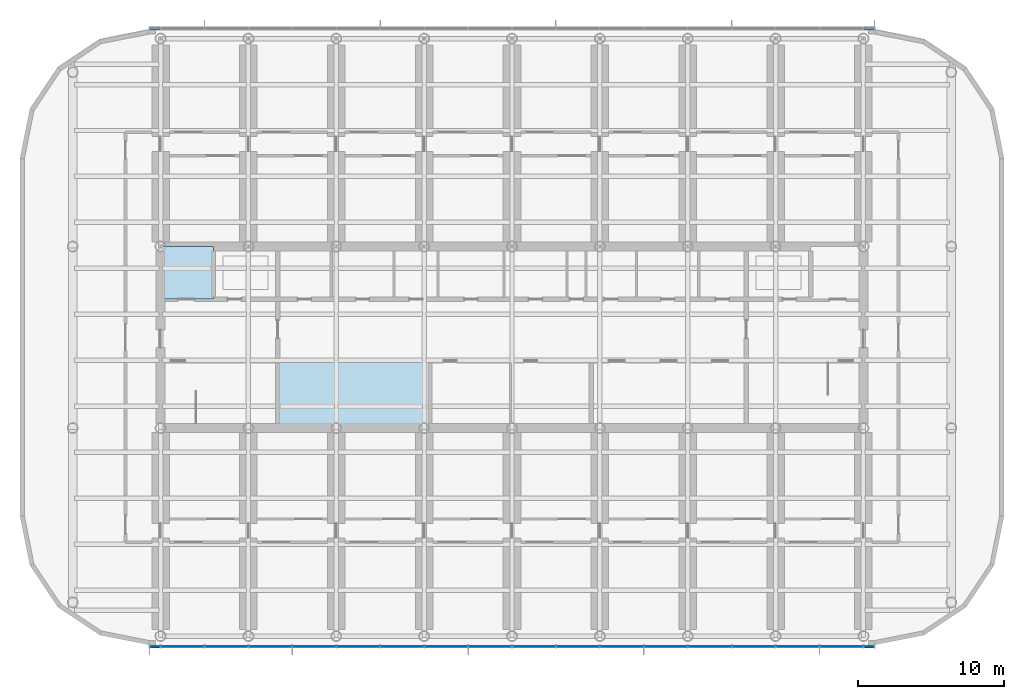
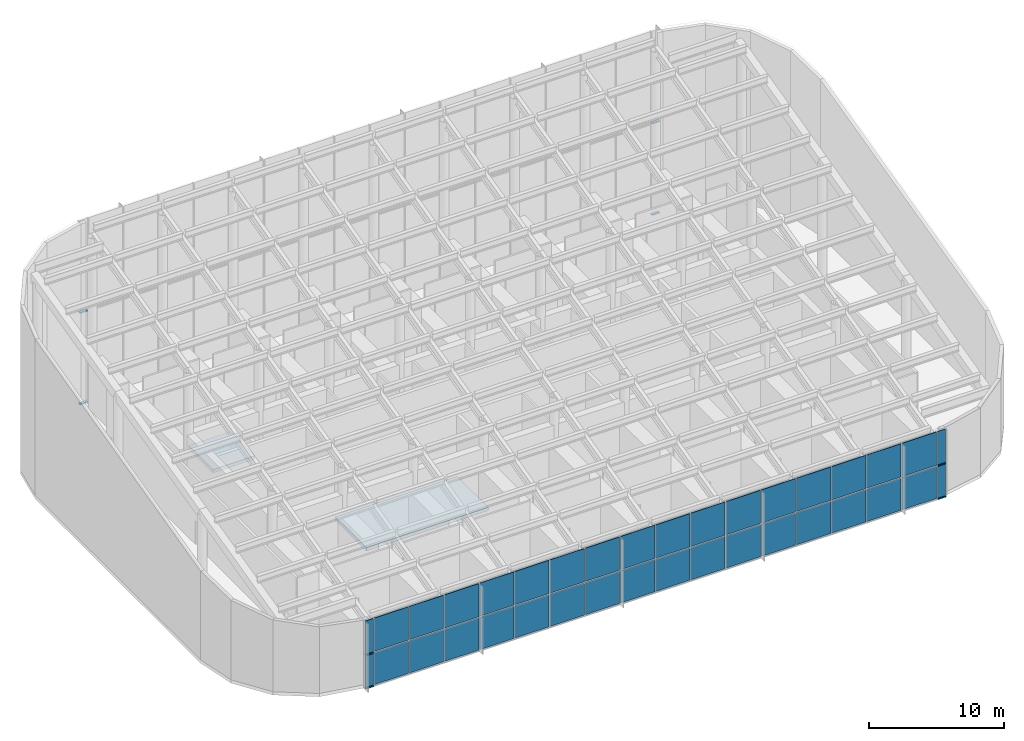
# One storey, part 6 of 14: 36 plates, 8 members, 2 slabs, 2 elements without a shape of their own.
"""IFC4 building model written with IfcOpenShell, lengths in metres."""

from ifc_helpers import new_model, si_unit, direction, frame, origin, origin_2d, place, context, subcontext, project, spatial, polyline, rectangle, outline, extrude, material, layer, layer_set, material_profile, profile_set, type_object, element, aggregate, save


model = new_model("IFC4")

# Units and contexts
model_context = context("Model", 3, precision=1e-05, world=origin(), true_north=direction((0.0, 1.0)))
body_context = subcontext(model_context, "Body", "Model", "MODEL_VIEW")
ifc_project = project(units=[si_unit("LENGTHUNIT", "METRE"), si_unit("AREAUNIT", "SQUARE_METRE"), si_unit("VOLUMEUNIT", "CUBIC_METRE"), si_unit("PLANEANGLEUNIT", "RADIAN"), si_unit("MASSUNIT", "GRAM", prefix="KILO")], contexts=[model_context])

# Site, building, storey
site_placement = place(None, origin())
site = spatial("IfcSite", under=ifc_project, at=site_placement, CompositionType="ELEMENT")
building_placement = place(site_placement, origin())
building = spatial("IfcBuilding", under=site, at=building_placement, Name="Orbita Commons", CompositionType="ELEMENT")
storey_placement = place(building_placement, frame((0.0, 0.0, 262.300048828125)))
storey = spatial("IfcBuildingStorey", under=building, at=storey_placement, Name="L65", CompositionType="ELEMENT", Elevation=262.300048828125)

# Curtain wall, members
ifc_material_1 = material(Name="Anodised aluminium frame, pale silver", Category="aluminium")
curtain_wall_type = type_object("IfcCurtainWallType", Name="Crown curtain wall CW-C", PredefinedType="NOTDEFINED", material=ifc_material_1)
curtain_wall_1_placement = place(storey_placement, origin())
curtain_wall_1 = element("IfcCurtainWall", 1, at=curtain_wall_1_placement, inside=storey, type_object=curtain_wall_type, Name="Curtain wall south L65", PredefinedType="NOTDEFINED")
ifc_material_2 = material(Name="Anodised aluminium, pale silver", Category="aluminium")
ifc_material_profile = material_profile(ifc_material_2, rectangle(XDim=0.219970703125, YDim=0.10009765625, at=origin_2d()), Name="AL 220x100")
ifc_profile_set = profile_set([ifc_material_profile], Name="Anodised aluminium, pale silver")
member_type = type_object("IfcMemberType", Name="Curtain wall stack transom 220x100", PredefinedType="USERDEFINED", material=ifc_profile_set)
member_1_placement = place(storey_placement, frame((17.280029296875, 10.889892578125, -0.25), z_axis=(1.0, 0.0, 0.0), x_axis=(0.0, 1.0, 0.0)))
member_1 = element("IfcMember", 2, at=member_1_placement, type_object=member_type, Name="Transom 1.1 CW-L65-S", ObjectType="TRANSOM", PredefinedType="USERDEFINED", context=body_context, shape_type="SweptSolid", body=[
    extrude(rectangle(XDim=0.219970703125, YDim=0.10009765625, at=origin_2d()), origin(), (0.0, 0.0, 1.0), 0.679931640625),
])
member_2_placement = place(storey_placement, frame((17.280029296875, 10.889892578125, 2.75), z_axis=(1.0, 0.0, 0.0), x_axis=(0.0, 1.0, 0.0)))
member_2 = element("IfcMember", 3, at=member_2_placement, type_object=member_type, Name="Transom 1.2 CW-L65-S", ObjectType="TRANSOM", PredefinedType="USERDEFINED", context=body_context, shape_type="SweptSolid", body=[
    extrude(rectangle(XDim=0.219970703125, YDim=0.10009765625, at=origin_2d()), origin(), (0.0, 0.0, 1.0), 0.679931640625),
])
member_3_placement = place(storey_placement, frame((66.0400390625, 10.889892578125, -0.25), z_axis=(1.0, 0.0, 0.0), x_axis=(0.0, 1.0, 0.0)))
member_3 = element("IfcMember", 4, at=member_3_placement, type_object=member_type, Name="Transom 18.1 CW-L65-S", ObjectType="TRANSOM", PredefinedType="USERDEFINED", context=body_context, shape_type="SweptSolid", body=[
    extrude(rectangle(XDim=0.219970703125, YDim=0.10009765625, at=origin_2d()), origin(), (0.0, 0.0, 1.0), 0.679931640625),
])
member_4_placement = place(storey_placement, frame((66.0400390625, 10.889892578125, 2.75), z_axis=(1.0, 0.0, 0.0), x_axis=(0.0, 1.0, 0.0)))
member_4 = element("IfcMember", 5, at=member_4_placement, type_object=member_type, Name="Transom 18.2 CW-L65-S", ObjectType="TRANSOM", PredefinedType="USERDEFINED", context=body_context, shape_type="SweptSolid", body=[
    extrude(rectangle(XDim=0.219970703125, YDim=0.10009765625, at=origin_2d()), origin(), (0.0, 0.0, 1.0), 0.679931640625),
])

curtain_wall_2_placement = place(storey_placement, origin())
curtain_wall_2 = element("IfcCurtainWall", 6, at=curtain_wall_2_placement, inside=storey, type_object=curtain_wall_type, Name="Curtain wall north L65", PredefinedType="NOTDEFINED")
member_5_placement = place(storey_placement, frame((66.719970703125, 53.110107421875, -0.25), z_axis=(-1.0, 0.0, 0.0), x_axis=(0.0, -1.0, 0.0)))
member_5 = element("IfcMember", 7, at=member_5_placement, type_object=member_type, Name="Transom 1.1 CW-L65-N", ObjectType="TRANSOM", PredefinedType="USERDEFINED", context=body_context, shape_type="SweptSolid", body=[
    extrude(rectangle(XDim=0.219970703125, YDim=0.10009765625, at=origin_2d()), origin(), (0.0, 0.0, 1.0), 0.679931640625),
])
member_6_placement = place(storey_placement, frame((66.719970703125, 53.110107421875, 7.98583984375), z_axis=(-1.0, 0.0, 0.0), x_axis=(0.0, -1.0, 0.0)))
member_6 = element("IfcMember", 8, at=member_6_placement, type_object=member_type, Name="Transom 1.2 CW-L65-N", ObjectType="TRANSOM", PredefinedType="USERDEFINED", context=body_context, shape_type="SweptSolid", body=[
    extrude(rectangle(XDim=0.219970703125, YDim=0.10009765625, at=origin_2d()), origin(), (0.0, 0.0, 1.0), 0.679931640625),
])
member_7_placement = place(storey_placement, frame((17.9599609375, 53.110107421875, -0.25), z_axis=(-1.0, 0.0, 0.0), x_axis=(0.0, -1.0, 0.0)))
member_7 = element("IfcMember", 9, at=member_7_placement, type_object=member_type, Name="Transom 18.1 CW-L65-N", ObjectType="TRANSOM", PredefinedType="USERDEFINED", context=body_context, shape_type="SweptSolid", body=[
    extrude(rectangle(XDim=0.219970703125, YDim=0.10009765625, at=origin_2d()), origin(), (0.0, 0.0, 1.0), 0.679931640625),
])
member_8_placement = place(storey_placement, frame((17.9599609375, 53.110107421875, 7.98583984375), z_axis=(-1.0, 0.0, 0.0), x_axis=(0.0, -1.0, 0.0)))
member_8 = element("IfcMember", 10, at=member_8_placement, type_object=member_type, Name="Transom 18.2 CW-L65-N", ObjectType="TRANSOM", PredefinedType="USERDEFINED", context=body_context, shape_type="SweptSolid", body=[
    extrude(rectangle(XDim=0.219970703125, YDim=0.10009765625, at=origin_2d()), origin(), (0.0, 0.0, 1.0), 0.679931640625),
])
aggregate(curtain_wall_2, [member_5, member_6, member_7, member_8])

# Slabs
ifc_material_3 = material(Name="Concrete C40/50", Category="concrete")
ifc_layer_1 = layer(ifc_material_3, 0.300048828125)
ifc_layer_set_1 = layer_set([ifc_layer_1], Name="Concrete C40/50")
slab_type = type_object("IfcSlabType", Name="Lift overrun roof 300", PredefinedType="ROOF", material=ifc_layer_set_1)
slab_1_placement = place(storey_placement, origin())
element("IfcSlab", 11, at=slab_1_placement, inside=storey, type_object=slab_type, Name="Lift overrun roof local", PredefinedType="ROOF", context=body_context, shape_type="SweptSolid", body=[
    extrude(outline(polyline([(26.0, 25.800048828125), (36.39990234375, 25.800048828125), (36.39990234375, 30.39990234375), (26.0, 30.39990234375), (26.0, 25.800048828125)])), origin(), (0.0, 0.0, 1.0), 0.300048828125),
])
slab_2_placement = place(storey_placement, frame((0.0, 0.0, 4.5)))
element("IfcSlab", 12, at=slab_2_placement, inside=storey, type_object=slab_type, Name="Lift overrun roof FL1", PredefinedType="ROOF", context=body_context, shape_type="SweptSolid", body=[
    extrude(outline(polyline([(18.0, 34.60009765625), (21.60009765625, 34.60009765625), (21.60009765625, 38.199951171875), (18.0, 38.199951171875), (18.0, 34.60009765625)])), origin(), (0.0, 0.0, 1.0), 0.300048828125),
])

# Plate
ifc_material_4 = material(Name="Anodised aluminium sheet", Category="aluminium")
ifc_layer_2 = layer(ifc_material_4, 0.050048828125)
ifc_layer_set_2 = layer_set([ifc_layer_2], Name="Anodised aluminium sheet")
plate_type = type_object("IfcPlateType", Name="Spandrel panel, pale aluminium 50", PredefinedType="CURTAIN_PANEL", material=ifc_layer_set_2)
plate_1_placement = place(storey_placement, frame((17.6201171875, 10.889892578125, -0.199951171875), z_axis=(0.0, 0.0, 1.0), x_axis=(1.0, 0.0, 0.0)))
plate_1 = element("IfcPlate", 13, at=plate_1_placement, type_object=plate_type, Name="Panel 1.1 CW-L65-S", PredefinedType="CURTAIN_PANEL", context=body_context, shape_type="SweptSolid", body=[
    extrude(rectangle(XDim=0.679931640625, YDim=0.050048828125, at=origin_2d()), origin(), (0.0, 0.0, 1.0), 2.89990234375),
])

plate_2_placement = place(storey_placement, frame((17.6201171875, 10.889892578125, 2.800048828125), z_axis=(0.0, 0.0, 1.0), x_axis=(1.0, 0.0, 0.0)))
plate_2 = element("IfcPlate", 14, at=plate_2_placement, type_object=plate_type, Name="Panel 1.2 CW-L65-S", PredefinedType="CURTAIN_PANEL", context=body_context, shape_type="SweptSolid", body=[
    extrude(rectangle(XDim=0.679931640625, YDim=0.050048828125, at=origin_2d()), origin(), (0.0, 0.0, 1.0), 3.0),
])

plate_3_placement = place(storey_placement, frame((19.5, 10.889892578125, -0.199951171875), z_axis=(0.0, 0.0, 1.0), x_axis=(1.0, 0.0, 0.0)))
plate_3 = element("IfcPlate", 15, at=plate_3_placement, type_object=plate_type, Name="Panel 2.1 CW-L65-S", PredefinedType="CURTAIN_PANEL", context=body_context, shape_type="SweptSolid", body=[
    extrude(rectangle(XDim=2.919921875, YDim=0.050048828125, at=origin_2d()), origin(), (0.0, 0.0, 1.0), 2.89990234375),
])

plate_4_placement = place(storey_placement, frame((19.5, 10.889892578125, 2.800048828125), z_axis=(0.0, 0.0, 1.0), x_axis=(1.0, 0.0, 0.0)))
plate_4 = element("IfcPlate", 16, at=plate_4_placement, type_object=plate_type, Name="Panel 2.2 CW-L65-S", PredefinedType="CURTAIN_PANEL", context=body_context, shape_type="SweptSolid", body=[
    extrude(rectangle(XDim=2.919921875, YDim=0.050048828125, at=origin_2d()), origin(), (0.0, 0.0, 1.0), 3.0),
])

plate_5_placement = place(storey_placement, frame((22.5, 10.889892578125, -0.199951171875), z_axis=(0.0, 0.0, 1.0), x_axis=(1.0, 0.0, 0.0)))
plate_5 = element("IfcPlate", 17, at=plate_5_placement, type_object=plate_type, Name="Panel 3.1 CW-L65-S", PredefinedType="CURTAIN_PANEL", context=body_context, shape_type="SweptSolid", body=[
    extrude(rectangle(XDim=2.919921875, YDim=0.050048828125, at=origin_2d()), origin(), (0.0, 0.0, 1.0), 2.89990234375),
])

plate_6_placement = place(storey_placement, frame((22.5, 10.889892578125, 2.800048828125), z_axis=(0.0, 0.0, 1.0), x_axis=(1.0, 0.0, 0.0)))
plate_6 = element("IfcPlate", 18, at=plate_6_placement, type_object=plate_type, Name="Panel 3.2 CW-L65-S", PredefinedType="CURTAIN_PANEL", context=body_context, shape_type="SweptSolid", body=[
    extrude(rectangle(XDim=2.919921875, YDim=0.050048828125, at=origin_2d()), origin(), (0.0, 0.0, 1.0), 3.0),
])

plate_7_placement = place(storey_placement, frame((25.5, 10.889892578125, -0.199951171875), z_axis=(0.0, 0.0, 1.0), x_axis=(1.0, 0.0, 0.0)))
plate_7 = element("IfcPlate", 19, at=plate_7_placement, type_object=plate_type, Name="Panel 4.1 CW-L65-S", PredefinedType="CURTAIN_PANEL", context=body_context, shape_type="SweptSolid", body=[
    extrude(rectangle(XDim=2.919921875, YDim=0.050048828125, at=origin_2d()), origin(), (0.0, 0.0, 1.0), 2.89990234375),
])

plate_8_placement = place(storey_placement, frame((25.5, 10.889892578125, 2.800048828125), z_axis=(0.0, 0.0, 1.0), x_axis=(1.0, 0.0, 0.0)))
plate_8 = element("IfcPlate", 20, at=plate_8_placement, type_object=plate_type, Name="Panel 4.2 CW-L65-S", PredefinedType="CURTAIN_PANEL", context=body_context, shape_type="SweptSolid", body=[
    extrude(rectangle(XDim=2.919921875, YDim=0.050048828125, at=origin_2d()), origin(), (0.0, 0.0, 1.0), 3.0),
])

plate_9_placement = place(storey_placement, frame((28.5, 10.889892578125, -0.199951171875), z_axis=(0.0, 0.0, 1.0), x_axis=(1.0, 0.0, 0.0)))
plate_9 = element("IfcPlate", 21, at=plate_9_placement, type_object=plate_type, Name="Panel 5.1 CW-L65-S", PredefinedType="CURTAIN_PANEL", context=body_context, shape_type="SweptSolid", body=[
    extrude(rectangle(XDim=2.919921875, YDim=0.050048828125, at=origin_2d()), origin(), (0.0, 0.0, 1.0), 2.89990234375),
])

plate_10_placement = place(storey_placement, frame((28.5, 10.889892578125, 2.800048828125), z_axis=(0.0, 0.0, 1.0), x_axis=(1.0, 0.0, 0.0)))
plate_10 = element("IfcPlate", 22, at=plate_10_placement, type_object=plate_type, Name="Panel 5.2 CW-L65-S", PredefinedType="CURTAIN_PANEL", context=body_context, shape_type="SweptSolid", body=[
    extrude(rectangle(XDim=2.919921875, YDim=0.050048828125, at=origin_2d()), origin(), (0.0, 0.0, 1.0), 3.0),
])

plate_11_placement = place(storey_placement, frame((31.5, 10.889892578125, -0.199951171875), z_axis=(0.0, 0.0, 1.0), x_axis=(1.0, 0.0, 0.0)))
plate_11 = element("IfcPlate", 23, at=plate_11_placement, type_object=plate_type, Name="Panel 6.1 CW-L65-S", PredefinedType="CURTAIN_PANEL", context=body_context, shape_type="SweptSolid", body=[
    extrude(rectangle(XDim=2.919921875, YDim=0.050048828125, at=origin_2d()), origin(), (0.0, 0.0, 1.0), 2.89990234375),
])

plate_12_placement = place(storey_placement, frame((31.5, 10.889892578125, 2.800048828125), z_axis=(0.0, 0.0, 1.0), x_axis=(1.0, 0.0, 0.0)))
plate_12 = element("IfcPlate", 24, at=plate_12_placement, type_object=plate_type, Name="Panel 6.2 CW-L65-S", PredefinedType="CURTAIN_PANEL", context=body_context, shape_type="SweptSolid", body=[
    extrude(rectangle(XDim=2.919921875, YDim=0.050048828125, at=origin_2d()), origin(), (0.0, 0.0, 1.0), 3.0),
])

plate_13_placement = place(storey_placement, frame((34.5, 10.889892578125, -0.199951171875), z_axis=(0.0, 0.0, 1.0), x_axis=(1.0, 0.0, 0.0)))
plate_13 = element("IfcPlate", 25, at=plate_13_placement, type_object=plate_type, Name="Panel 7.1 CW-L65-S", PredefinedType="CURTAIN_PANEL", context=body_context, shape_type="SweptSolid", body=[
    extrude(rectangle(XDim=2.919921875, YDim=0.050048828125, at=origin_2d()), origin(), (0.0, 0.0, 1.0), 2.89990234375),
])

plate_14_placement = place(storey_placement, frame((34.5, 10.889892578125, 2.800048828125), z_axis=(0.0, 0.0, 1.0), x_axis=(1.0, 0.0, 0.0)))
plate_14 = element("IfcPlate", 26, at=plate_14_placement, type_object=plate_type, Name="Panel 7.2 CW-L65-S", PredefinedType="CURTAIN_PANEL", context=body_context, shape_type="SweptSolid", body=[
    extrude(rectangle(XDim=2.919921875, YDim=0.050048828125, at=origin_2d()), origin(), (0.0, 0.0, 1.0), 3.0),
])

plate_15_placement = place(storey_placement, frame((37.5, 10.889892578125, -0.199951171875), z_axis=(0.0, 0.0, 1.0), x_axis=(1.0, 0.0, 0.0)))
plate_15 = element("IfcPlate", 27, at=plate_15_placement, type_object=plate_type, Name="Panel 8.1 CW-L65-S", PredefinedType="CURTAIN_PANEL", context=body_context, shape_type="SweptSolid", body=[
    extrude(rectangle(XDim=2.919921875, YDim=0.050048828125, at=origin_2d()), origin(), (0.0, 0.0, 1.0), 2.89990234375),
])

plate_16_placement = place(storey_placement, frame((37.5, 10.889892578125, 2.800048828125), z_axis=(0.0, 0.0, 1.0), x_axis=(1.0, 0.0, 0.0)))
plate_16 = element("IfcPlate", 28, at=plate_16_placement, type_object=plate_type, Name="Panel 8.2 CW-L65-S", PredefinedType="CURTAIN_PANEL", context=body_context, shape_type="SweptSolid", body=[
    extrude(rectangle(XDim=2.919921875, YDim=0.050048828125, at=origin_2d()), origin(), (0.0, 0.0, 1.0), 3.0),
])

plate_17_placement = place(storey_placement, frame((40.5, 10.889892578125, -0.199951171875), z_axis=(0.0, 0.0, 1.0), x_axis=(1.0, 0.0, 0.0)))
plate_17 = element("IfcPlate", 29, at=plate_17_placement, type_object=plate_type, Name="Panel 9.1 CW-L65-S", PredefinedType="CURTAIN_PANEL", context=body_context, shape_type="SweptSolid", body=[
    extrude(rectangle(XDim=2.919921875, YDim=0.050048828125, at=origin_2d()), origin(), (0.0, 0.0, 1.0), 2.89990234375),
])

plate_18_placement = place(storey_placement, frame((40.5, 10.889892578125, 2.800048828125), z_axis=(0.0, 0.0, 1.0), x_axis=(1.0, 0.0, 0.0)))
plate_18 = element("IfcPlate", 30, at=plate_18_placement, type_object=plate_type, Name="Panel 9.2 CW-L65-S", PredefinedType="CURTAIN_PANEL", context=body_context, shape_type="SweptSolid", body=[
    extrude(rectangle(XDim=2.919921875, YDim=0.050048828125, at=origin_2d()), origin(), (0.0, 0.0, 1.0), 3.0),
])

plate_19_placement = place(storey_placement, frame((43.5, 10.889892578125, -0.199951171875), z_axis=(0.0, 0.0, 1.0), x_axis=(1.0, 0.0, 0.0)))
plate_19 = element("IfcPlate", 31, at=plate_19_placement, type_object=plate_type, Name="Panel 10.1 CW-L65-S", PredefinedType="CURTAIN_PANEL", context=body_context, shape_type="SweptSolid", body=[
    extrude(rectangle(XDim=2.919921875, YDim=0.050048828125, at=origin_2d()), origin(), (0.0, 0.0, 1.0), 2.89990234375),
])

plate_20_placement = place(storey_placement, frame((43.5, 10.889892578125, 2.800048828125), z_axis=(0.0, 0.0, 1.0), x_axis=(1.0, 0.0, 0.0)))
plate_20 = element("IfcPlate", 32, at=plate_20_placement, type_object=plate_type, Name="Panel 10.2 CW-L65-S", PredefinedType="CURTAIN_PANEL", context=body_context, shape_type="SweptSolid", body=[
    extrude(rectangle(XDim=2.919921875, YDim=0.050048828125, at=origin_2d()), origin(), (0.0, 0.0, 1.0), 3.0),
])

plate_21_placement = place(storey_placement, frame((46.5, 10.889892578125, -0.199951171875), z_axis=(0.0, 0.0, 1.0), x_axis=(1.0, 0.0, 0.0)))
plate_21 = element("IfcPlate", 33, at=plate_21_placement, type_object=plate_type, Name="Panel 11.1 CW-L65-S", PredefinedType="CURTAIN_PANEL", context=body_context, shape_type="SweptSolid", body=[
    extrude(rectangle(XDim=2.919921875, YDim=0.050048828125, at=origin_2d()), origin(), (0.0, 0.0, 1.0), 2.89990234375),
])

plate_22_placement = place(storey_placement, frame((46.5, 10.889892578125, 2.800048828125), z_axis=(0.0, 0.0, 1.0), x_axis=(1.0, 0.0, 0.0)))
plate_22 = element("IfcPlate", 34, at=plate_22_placement, type_object=plate_type, Name="Panel 11.2 CW-L65-S", PredefinedType="CURTAIN_PANEL", context=body_context, shape_type="SweptSolid", body=[
    extrude(rectangle(XDim=2.919921875, YDim=0.050048828125, at=origin_2d()), origin(), (0.0, 0.0, 1.0), 3.0),
])

plate_23_placement = place(storey_placement, frame((49.5, 10.889892578125, -0.199951171875), z_axis=(0.0, 0.0, 1.0), x_axis=(1.0, 0.0, 0.0)))
plate_23 = element("IfcPlate", 35, at=plate_23_placement, type_object=plate_type, Name="Panel 12.1 CW-L65-S", PredefinedType="CURTAIN_PANEL", context=body_context, shape_type="SweptSolid", body=[
    extrude(rectangle(XDim=2.919921875, YDim=0.050048828125, at=origin_2d()), origin(), (0.0, 0.0, 1.0), 2.89990234375),
])

plate_24_placement = place(storey_placement, frame((49.5, 10.889892578125, 2.800048828125), z_axis=(0.0, 0.0, 1.0), x_axis=(1.0, 0.0, 0.0)))
plate_24 = element("IfcPlate", 36, at=plate_24_placement, type_object=plate_type, Name="Panel 12.2 CW-L65-S", PredefinedType="CURTAIN_PANEL", context=body_context, shape_type="SweptSolid", body=[
    extrude(rectangle(XDim=2.919921875, YDim=0.050048828125, at=origin_2d()), origin(), (0.0, 0.0, 1.0), 3.0),
])

plate_25_placement = place(storey_placement, frame((52.5, 10.889892578125, -0.199951171875), z_axis=(0.0, 0.0, 1.0), x_axis=(1.0, 0.0, 0.0)))
plate_25 = element("IfcPlate", 37, at=plate_25_placement, type_object=plate_type, Name="Panel 13.1 CW-L65-S", PredefinedType="CURTAIN_PANEL", context=body_context, shape_type="SweptSolid", body=[
    extrude(rectangle(XDim=2.919921875, YDim=0.050048828125, at=origin_2d()), origin(), (0.0, 0.0, 1.0), 2.89990234375),
])

plate_26_placement = place(storey_placement, frame((52.5, 10.889892578125, 2.800048828125), z_axis=(0.0, 0.0, 1.0), x_axis=(1.0, 0.0, 0.0)))
plate_26 = element("IfcPlate", 38, at=plate_26_placement, type_object=plate_type, Name="Panel 13.2 CW-L65-S", PredefinedType="CURTAIN_PANEL", context=body_context, shape_type="SweptSolid", body=[
    extrude(rectangle(XDim=2.919921875, YDim=0.050048828125, at=origin_2d()), origin(), (0.0, 0.0, 1.0), 3.0),
])

plate_27_placement = place(storey_placement, frame((55.5, 10.889892578125, -0.199951171875), z_axis=(0.0, 0.0, 1.0), x_axis=(1.0, 0.0, 0.0)))
plate_27 = element("IfcPlate", 39, at=plate_27_placement, type_object=plate_type, Name="Panel 14.1 CW-L65-S", PredefinedType="CURTAIN_PANEL", context=body_context, shape_type="SweptSolid", body=[
    extrude(rectangle(XDim=2.919921875, YDim=0.050048828125, at=origin_2d()), origin(), (0.0, 0.0, 1.0), 2.89990234375),
])

plate_28_placement = place(storey_placement, frame((55.5, 10.889892578125, 2.800048828125), z_axis=(0.0, 0.0, 1.0), x_axis=(1.0, 0.0, 0.0)))
plate_28 = element("IfcPlate", 40, at=plate_28_placement, type_object=plate_type, Name="Panel 14.2 CW-L65-S", PredefinedType="CURTAIN_PANEL", context=body_context, shape_type="SweptSolid", body=[
    extrude(rectangle(XDim=2.919921875, YDim=0.050048828125, at=origin_2d()), origin(), (0.0, 0.0, 1.0), 3.0),
])

plate_29_placement = place(storey_placement, frame((58.5, 10.889892578125, -0.199951171875), z_axis=(0.0, 0.0, 1.0), x_axis=(1.0, 0.0, 0.0)))
plate_29 = element("IfcPlate", 41, at=plate_29_placement, type_object=plate_type, Name="Panel 15.1 CW-L65-S", PredefinedType="CURTAIN_PANEL", context=body_context, shape_type="SweptSolid", body=[
    extrude(rectangle(XDim=2.919921875, YDim=0.050048828125, at=origin_2d()), origin(), (0.0, 0.0, 1.0), 2.89990234375),
])

plate_30_placement = place(storey_placement, frame((58.5, 10.889892578125, 2.800048828125), z_axis=(0.0, 0.0, 1.0), x_axis=(1.0, 0.0, 0.0)))
plate_30 = element("IfcPlate", 42, at=plate_30_placement, type_object=plate_type, Name="Panel 15.2 CW-L65-S", PredefinedType="CURTAIN_PANEL", context=body_context, shape_type="SweptSolid", body=[
    extrude(rectangle(XDim=2.919921875, YDim=0.050048828125, at=origin_2d()), origin(), (0.0, 0.0, 1.0), 3.0),
])

plate_31_placement = place(storey_placement, frame((61.5, 10.889892578125, -0.199951171875), z_axis=(0.0, 0.0, 1.0), x_axis=(1.0, 0.0, 0.0)))
plate_31 = element("IfcPlate", 43, at=plate_31_placement, type_object=plate_type, Name="Panel 16.1 CW-L65-S", PredefinedType="CURTAIN_PANEL", context=body_context, shape_type="SweptSolid", body=[
    extrude(rectangle(XDim=2.919921875, YDim=0.050048828125, at=origin_2d()), origin(), (0.0, 0.0, 1.0), 2.89990234375),
])

plate_32_placement = place(storey_placement, frame((61.5, 10.889892578125, 2.800048828125), z_axis=(0.0, 0.0, 1.0), x_axis=(1.0, 0.0, 0.0)))
plate_32 = element("IfcPlate", 44, at=plate_32_placement, type_object=plate_type, Name="Panel 16.2 CW-L65-S", PredefinedType="CURTAIN_PANEL", context=body_context, shape_type="SweptSolid", body=[
    extrude(rectangle(XDim=2.919921875, YDim=0.050048828125, at=origin_2d()), origin(), (0.0, 0.0, 1.0), 3.0),
])

plate_33_placement = place(storey_placement, frame((64.5, 10.889892578125, -0.199951171875), z_axis=(0.0, 0.0, 1.0), x_axis=(1.0, 0.0, 0.0)))
plate_33 = element("IfcPlate", 45, at=plate_33_placement, type_object=plate_type, Name="Panel 17.1 CW-L65-S", PredefinedType="CURTAIN_PANEL", context=body_context, shape_type="SweptSolid", body=[
    extrude(rectangle(XDim=2.919921875, YDim=0.050048828125, at=origin_2d()), origin(), (0.0, 0.0, 1.0), 2.89990234375),
])

plate_34_placement = place(storey_placement, frame((64.5, 10.889892578125, 2.800048828125), z_axis=(0.0, 0.0, 1.0), x_axis=(1.0, 0.0, 0.0)))
plate_34 = element("IfcPlate", 46, at=plate_34_placement, type_object=plate_type, Name="Panel 17.2 CW-L65-S", PredefinedType="CURTAIN_PANEL", context=body_context, shape_type="SweptSolid", body=[
    extrude(rectangle(XDim=2.919921875, YDim=0.050048828125, at=origin_2d()), origin(), (0.0, 0.0, 1.0), 3.0),
])

plate_35_placement = place(storey_placement, frame((66.3798828125, 10.889892578125, -0.199951171875), z_axis=(0.0, 0.0, 1.0), x_axis=(1.0, 0.0, 0.0)))
plate_35 = element("IfcPlate", 47, at=plate_35_placement, type_object=plate_type, Name="Panel 18.1 CW-L65-S", PredefinedType="CURTAIN_PANEL", context=body_context, shape_type="SweptSolid", body=[
    extrude(rectangle(XDim=0.679931640625, YDim=0.050048828125, at=origin_2d()), origin(), (0.0, 0.0, 1.0), 2.89990234375),
])

plate_36_placement = place(storey_placement, frame((66.3798828125, 10.889892578125, 2.800048828125), z_axis=(0.0, 0.0, 1.0), x_axis=(1.0, 0.0, 0.0)))
plate_36 = element("IfcPlate", 48, at=plate_36_placement, type_object=plate_type, Name="Panel 18.2 CW-L65-S", PredefinedType="CURTAIN_PANEL", context=body_context, shape_type="SweptSolid", body=[
    extrude(rectangle(XDim=0.679931640625, YDim=0.050048828125, at=origin_2d()), origin(), (0.0, 0.0, 1.0), 3.0),
])

aggregate(curtain_wall_1, [member_1, member_2, plate_1, plate_2, plate_3, plate_4, plate_5, plate_6, plate_7, plate_8, plate_9, plate_10, plate_11, plate_12, plate_13, plate_14, plate_15, plate_16, plate_17, plate_18, plate_19, plate_20, plate_21, plate_22, plate_23, plate_24, plate_25, plate_26, plate_27, plate_28, plate_29, plate_30, plate_31, plate_32, plate_33, plate_34, member_3, member_4, plate_35, plate_36])

save(model, "model.ifc")
